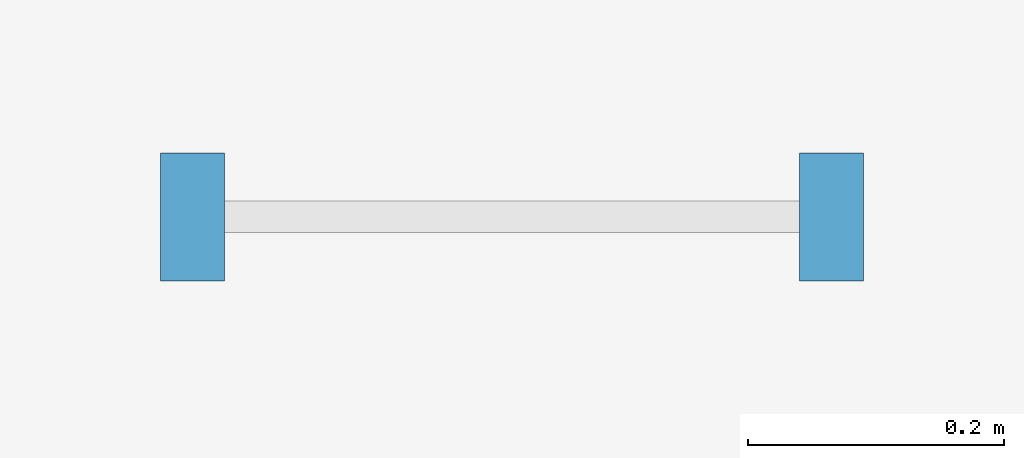
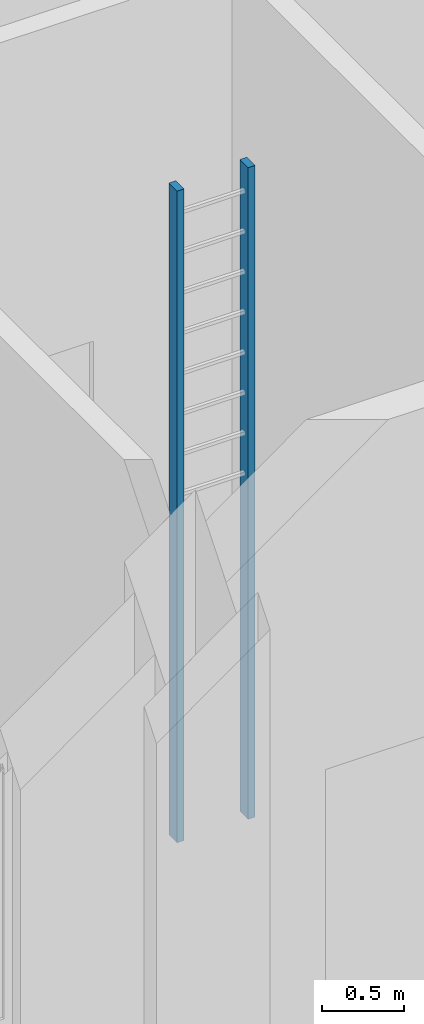
# One storey, part 61 of 77: 2 discrete accessories.
"""IFC4 building model written with IfcOpenShell, lengths in metres."""

from ifc_helpers import new_model, si_unit, direction, origin, place, context, subcontext, project, spatial, polyline, outline, extrude, material, type_object, element, save


model = new_model("IFC4")

# Units and contexts
model_context = context("Model", 3, precision=1e-05, world=origin(), true_north=direction((0.0, 1.0)))
body_context = subcontext(model_context, "Body", "Model", "MODEL_VIEW")
ifc_project = project(units=[si_unit("LENGTHUNIT", "METRE"), si_unit("AREAUNIT", "SQUARE_METRE"), si_unit("VOLUMEUNIT", "CUBIC_METRE"), si_unit("PLANEANGLEUNIT", "RADIAN"), si_unit("MASSUNIT", "GRAM", prefix="KILO")], contexts=[model_context])

# Site, building, storey
site_placement = place(None, origin())
site = spatial("IfcSite", under=ifc_project, at=site_placement, CompositionType="ELEMENT")
building_placement = place(site_placement, origin())
building = spatial("IfcBuilding", under=site, at=building_placement, Name="Aravalli Gate Trade Fair Centre", CompositionType="ELEMENT")
storey_placement = place(building_placement, origin())
storey = spatial("IfcBuildingStorey", under=building, at=storey_placement, Name="L00", CompositionType="ELEMENT", Elevation=0.0)

# Discrete accessories
ifc_material = material(Name="Steel E350", Category="steel")
discrete_accessory_type = type_object("IfcDiscreteAccessoryType", Name="Wing roof ladder part", PredefinedType="USERDEFINED", material=ifc_material)
discrete_accessory_1_placement = place(storey_placement, origin())
element("IfcDiscreteAccessory", 1, at=discrete_accessory_1_placement, inside=storey, type_object=discrete_accessory_type, Name="Roof ladder stringer 1", ObjectType="LADDER", PredefinedType="USERDEFINED", context=body_context, shape_type="SweptSolid", body=[
    extrude(outline(polyline([(196.27490234375, 141.14990234375), (196.324951171875, 141.14990234375), (196.324951171875, 141.25), (196.27490234375, 141.25), (196.27490234375, 141.14990234375)])), origin(), (0.0, 0.0, 1.0), 4.85009765625),
])
discrete_accessory_2_placement = place(storey_placement, origin())
element("IfcDiscreteAccessory", 2, at=discrete_accessory_2_placement, inside=storey, type_object=discrete_accessory_type, Name="Roof ladder stringer 2", ObjectType="LADDER", PredefinedType="USERDEFINED", context=body_context, shape_type="SweptSolid", body=[
    extrude(outline(polyline([(196.77490234375, 141.14990234375), (196.824951171875, 141.14990234375), (196.824951171875, 141.25), (196.77490234375, 141.25), (196.77490234375, 141.14990234375)])), origin(), (0.0, 0.0, 1.0), 4.85009765625),
])

save(model, "model.ifc")
